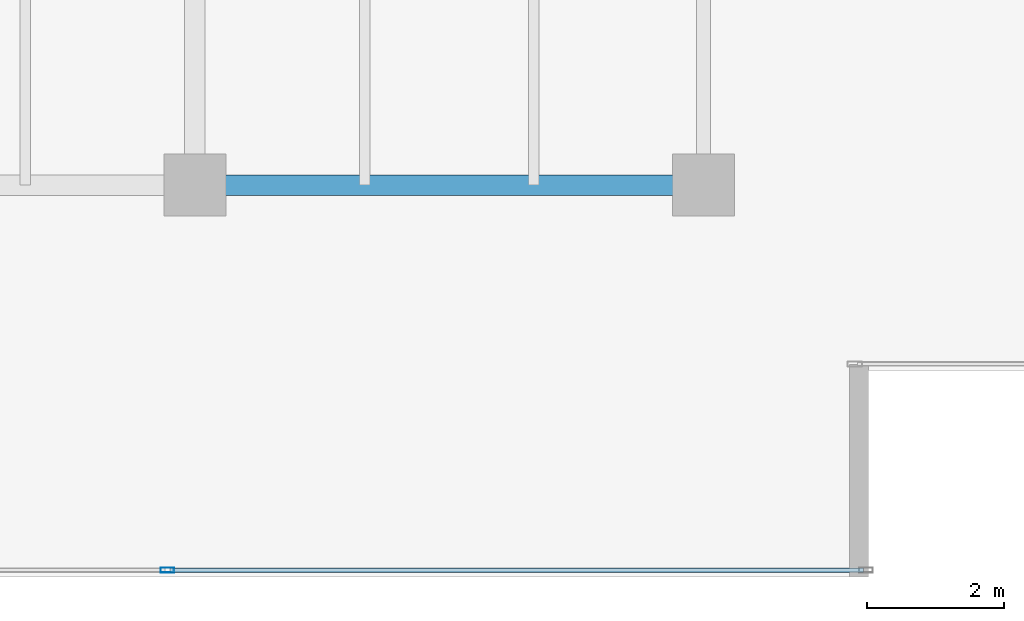
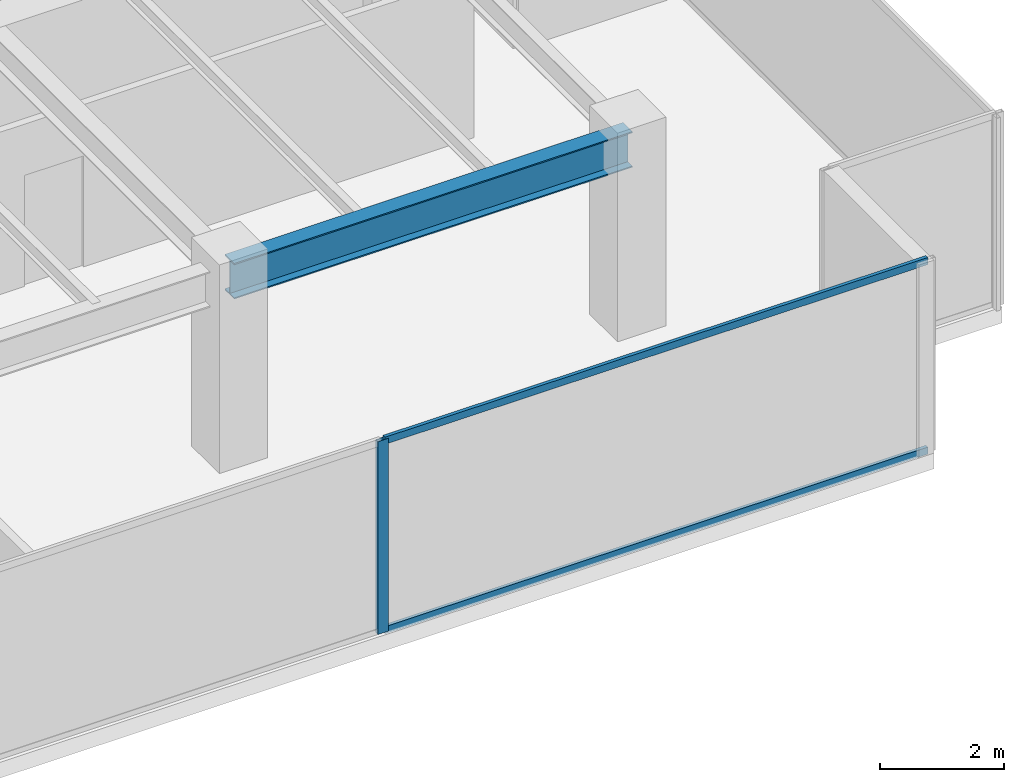
# One storey, part 12 of 30: 3 members, 1 beam, 1 element without a shape of its own.
"""IFC4 building model written with IfcOpenShell, lengths in metres."""

from ifc_helpers import new_model, si_unit, direction, frame, origin, origin_2d, place, context, subcontext, project, spatial, hollow_rectangle, i_section, extrude, source, transform, mapped, material, layer, layer_set, material_profile, profile_set, type_object, type_shapes, element, aggregate, save


model = new_model("IFC4")

# Units and contexts
model_context = context("Model", 3, precision=1e-05, world=origin(), true_north=direction((0.0, 1.0)))
body_context = subcontext(model_context, "Body", "Model", "MODEL_VIEW")
ifc_project = project(units=[si_unit("LENGTHUNIT", "METRE"), si_unit("AREAUNIT", "SQUARE_METRE"), si_unit("VOLUMEUNIT", "CUBIC_METRE"), si_unit("PLANEANGLEUNIT", "RADIAN"), si_unit("MASSUNIT", "GRAM", prefix="KILO")], contexts=[model_context])

# Site, building, storey
site_placement = place(None, origin())
site = spatial("IfcSite", under=ifc_project, at=site_placement, CompositionType="ELEMENT")
building_placement = place(site_placement, origin())
building = spatial("IfcBuilding", under=site, at=building_placement, Name="Haelvirn Gate Laboratories", CompositionType="ELEMENT")
storey_placement = place(building_placement, frame((0.0, 0.0, 187.10009765625)))
storey = spatial("IfcBuildingStorey", under=building, at=storey_placement, Name="L45", CompositionType="ELEMENT", Elevation=187.10009765625)

# Beam
ifc_material_1 = material(Name="Steel SM355", Category="steel")
ifc_material_profile_1 = material_profile(ifc_material_1, i_section(OverallWidth=0.300048828125, OverallDepth=0.699951171875, WebThickness=0.012939453125, FlangeThickness=0.02392578125, at=origin_2d()), Name="H-700x300x13x24")
ifc_profile_set_1 = profile_set([ifc_material_profile_1], Name="Steel SM355")
beam_type = type_object("IfcBeamType", Name="BM-G-700", PredefinedType="BEAM", material=ifc_profile_set_1)
shared_shape_1 = source(origin(), body_context, "Body", "SweptSolid", [
    extrude(i_section(OverallWidth=0.300048828125, OverallDepth=0.699951171875, WebThickness=0.012939453125, FlangeThickness=0.02392578125, at=origin_2d()), origin(), (0.0, 0.0, 1.0), 7.39990234375),
])
type_shapes(beam_type, [shared_shape_1])
beam_placement = place(storey_placement, frame((60.0, 7.0, 3.43994140625), z_axis=(1.0, 0.0, 0.0), x_axis=(0.0, 1.0, 0.0)))
element("IfcBeam", 1, at=beam_placement, inside=storey, type_object=beam_type, Name="L45 Primary Girder Y7.0 (60.0-67.4)", PredefinedType="BEAM", context=body_context, shape_type="MappedRepresentation", body=[
    mapped(shared_shape_1, transform((0.0, 0.0, 0.0), scale=1.0)),
])

# Curtain wall, members
ifc_material_2 = material(Name="Anodised bronze unitised aluminium & triple low-E glass", Category="aluminium")
ifc_layer = layer(ifc_material_2, 0.179931640625, Name="CW-SYS-3")
ifc_layer_set = layer_set([ifc_layer], Name="Anodised bronze unitised aluminium & triple low-E glass")
curtain_wall_type = type_object("IfcCurtainWallType", Name="CW-SYS-3", PredefinedType="NOTDEFINED", material=ifc_layer_set)
curtain_wall_placement = place(storey_placement, origin())
curtain_wall = element("IfcCurtainWall", 2, at=curtain_wall_placement, inside=storey, type_object=curtain_wall_type, Name="L45 Unitised Curtain Wall CW-L45-P0-E04-1", PredefinedType="NOTDEFINED")
ifc_material_3 = material(Name="Extruded aluminium 6063-T6 (anodised bronze)", Category="aluminium")
ifc_material_profile_2 = material_profile(ifc_material_3, hollow_rectangle(XDim=0.06494140625, YDim=0.139892578125, WallThickness=0.00390625, at=origin_2d()), Name="CWT-140x65x4")
ifc_profile_set_2 = profile_set([ifc_material_profile_2], Name="Extruded aluminium 6063-T6 (anodised bronze)")
member_type_1 = type_object("IfcMemberType", Name="CWT-T140", PredefinedType="USERDEFINED", material=ifc_profile_set_2)
shared_shape_2 = source(origin(), body_context, "Body", "SweptSolid", [
    extrude(hollow_rectangle(XDim=0.06494140625, YDim=0.139892578125, WallThickness=0.00390625, at=origin_2d()), origin(), (0.0, 0.0, 1.0), 10.087646484375),
])
type_shapes(member_type_1, [shared_shape_2])
member_1_placement = place(storey_placement, frame((59.637451171875, 1.39990234375, 0.032470703125), z_axis=(1.0, 0.0, 0.0), x_axis=(0.0, 1.0, 0.0)))
member_1 = element("IfcMember", 3, at=member_1_placement, type_object=member_type_1, Name="CW3 transom 2.1", ObjectType="TRANSOM", PredefinedType="USERDEFINED", context=body_context, shape_type="MappedRepresentation", body=[
    mapped(shared_shape_2, transform((0.0, 0.0, 0.0), scale=1.0)),
])
member_2_placement = place(storey_placement, frame((59.637451171875, 1.39990234375, 3.75732421875), z_axis=(1.0, 0.0, 0.0), x_axis=(0.0, 1.0, 0.0)))
member_2 = element("IfcMember", 4, at=member_2_placement, type_object=member_type_1, Name="CW3 transom 2.2", ObjectType="TRANSOM", PredefinedType="USERDEFINED", context=body_context, shape_type="MappedRepresentation", body=[
    mapped(shared_shape_2, transform((0.0, 0.0, 0.0), scale=1.0)),
])
ifc_material_profile_3 = material_profile(ifc_material_3, hollow_rectangle(XDim=0.074951171875, YDim=0.199951171875, WallThickness=0.0048828125, at=origin_2d()), Name="CWM-200x75x5")
ifc_profile_set_3 = profile_set([ifc_material_profile_3], Name="Extruded aluminium 6063-T6 (anodised bronze)")
member_type_2 = type_object("IfcMemberType", Name="CWM-T200", PredefinedType="MULLION", material=ifc_profile_set_3)
shared_shape_3 = source(origin(), body_context, "Body", "SweptSolid", [
    extrude(hollow_rectangle(XDim=0.074951171875, YDim=0.199951171875, WallThickness=0.0048828125, at=origin_2d()), origin(), (0.0, 0.0, 1.0), 3.789794921875),
])
type_shapes(member_type_2, [shared_shape_3])
member_3_placement = place(storey_placement, frame((59.60009765625, 1.39990234375, 0.0), z_axis=(0.0, 0.0, 1.0), x_axis=(0.0, 1.0, 0.0)))
member_3 = element("IfcMember", 5, at=member_3_placement, type_object=member_type_2, Name="CW3 mullion 2", PredefinedType="MULLION", context=body_context, shape_type="MappedRepresentation", body=[
    mapped(shared_shape_3, transform((0.0, 0.0, 0.0), scale=1.0)),
])
aggregate(curtain_wall, [member_3, member_1, member_2])

save(model, "model.ifc")
